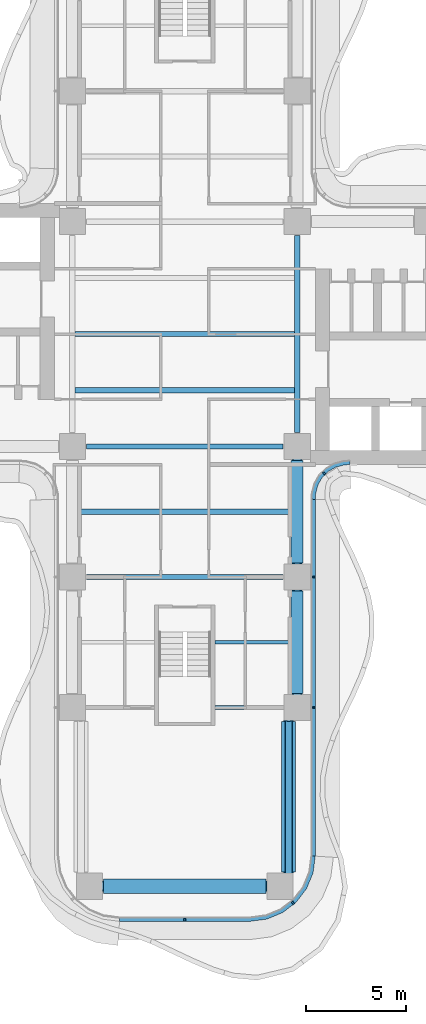
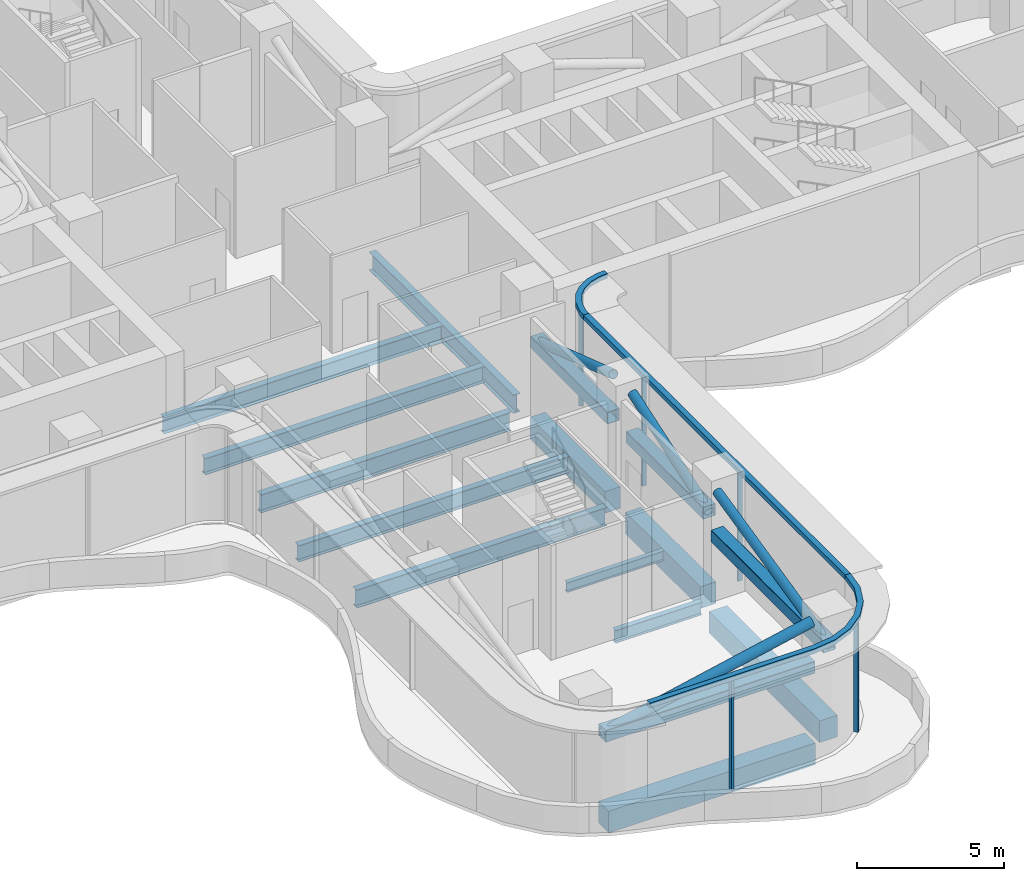
# One storey, part 4 of 20: 16 beams, 12 members, 3 elements without a shape of their own.
"""IFC4 building model written with IfcOpenShell, lengths in metres."""

from ifc_helpers import new_model, si_unit, direction, frame, origin, origin_2d, place, context, subcontext, project, spatial, polyline, rectangle, hollow_rectangle, hollow_circle, i_section, outline, extrude, source, transform, mapped, material, layer, layer_set, material_profile, profile_set, type_object, element, aggregate, save


model = new_model("IFC4")

# Units and contexts
model_context = context("Model", 3, precision=1e-05, world=origin(), true_north=direction((0.0, 1.0)))
body_context = subcontext(model_context, "Body", "Model", "MODEL_VIEW")
ifc_project = project(units=[si_unit("LENGTHUNIT", "METRE"), si_unit("AREAUNIT", "SQUARE_METRE"), si_unit("VOLUMEUNIT", "CUBIC_METRE"), si_unit("PLANEANGLEUNIT", "RADIAN"), si_unit("MASSUNIT", "GRAM", prefix="KILO")], contexts=[model_context])

# Site, building, storey
site_placement = place(None, origin())
site = spatial("IfcSite", under=ifc_project, at=site_placement, CompositionType="ELEMENT")
building_placement = place(site_placement, origin())
building = spatial("IfcBuilding", under=site, at=building_placement, Name="Trellis Farm Tower", CompositionType="ELEMENT")
storey_placement = place(building_placement, frame((0.0, 0.0, 92.5)))
storey = spatial("IfcBuildingStorey", under=building, at=storey_placement, Name="L19", CompositionType="ELEMENT", Elevation=92.5)

# Curtain wall, member
ifc_material_1 = material(Name="Aluminium and glass curtain wall", Category="aluminium")
ifc_layer_1 = layer(ifc_material_1, 0.196044921875)
ifc_layer_set_1 = layer_set([ifc_layer_1], Name="LOUVRED GLASS CURTAIN WALL CW6")
curtain_wall_type = type_object("IfcCurtainWallType", Name="LOUVRED GLASS CURTAIN WALL CW6", PredefinedType="NOTDEFINED", material=ifc_layer_set_1)
placement_1 = place(storey_placement, origin())
curtain_wall_1 = element("IfcCurtainWall", 1, at=placement_1, inside=storey, type_object=curtain_wall_type, Name="CW6 004", PredefinedType="NOTDEFINED")
ifc_material_2 = material(Name="Aluminium extrusion 6063-T6", Category="aluminium")
ifc_layer_2 = layer(ifc_material_2, 0.2099609375)
ifc_layer_set_2 = layer_set([ifc_layer_2], Name="Aluminium extrusion 6063-T6")
member_type_1 = type_object("IfcMemberType", Name="CW6 TRANSOM 210x200", PredefinedType="USERDEFINED", material=ifc_layer_set_2)
placement_2 = place(storey_placement, frame((0.0, 0.0, 4.550048828125)))
member_1 = element("IfcMember", 2, at=placement_2, type_object=member_type_1, Name="TR6 004", ObjectType="TRANSOM", PredefinedType="USERDEFINED", context=body_context, shape_type="SweptSolid", body=[
    extrude(outline(polyline([(-3.25, -29.25), (3.25, -29.25), (4.091064453125, -29.13916015625), (4.875, -28.814697265625), (5.548095703125, -28.298095703125), (6.064697265625, -27.625), (6.38916015625, -26.841064453125), (6.5, -26.0), (6.2900390625, -25.986328125), (6.1845703125, -26.786376953125), (5.881103515625, -27.51904296875), (5.3984375, -28.1484375), (4.76904296875, -28.631103515625), (4.036376953125, -28.9345703125), (3.236328125, -29.0400390625), (-3.236328125, -29.0400390625), (-3.25, -29.25)])), origin(), (0.0, 0.0, 1.0), 0.199951171875),
])

curtain_wall_2 = element("IfcCurtainWall", 3, at=placement_1, inside=storey, type_object=curtain_wall_type, Name="CW6 005", PredefinedType="NOTDEFINED")
member_2 = element("IfcMember", 4, at=placement_2, type_object=member_type_1, Name="TR6 005", ObjectType="TRANSOM", PredefinedType="USERDEFINED", context=body_context, shape_type="SweptSolid", body=[
    extrude(outline(polyline([(6.5, -26.0), (6.5, -8.2314453125), (6.2900390625, -8.224609375), (6.2900390625, -25.986328125), (6.5, -26.0)])), origin(), (0.0, 0.0, 1.0), 0.199951171875),
])

# Beams
ifc_material_3 = material(Name="Steel S355", Category="steel")
ifc_material_profile_1 = material_profile(ifc_material_3, i_section(OverallWidth=0.253662109375, OverallDepth=0.68359375, WebThickness=0.012451171875, FlangeThickness=0.021728515625, FilletRadius=0.01513671875, at=origin_2d()), Name="UB 686x254x140")
ifc_profile_set_1 = profile_set([ifc_material_profile_1], Name="Steel S355")
beam_type_1 = type_object("IfcBeamType", Name="UB 686x254x140 joist", PredefinedType="JOIST", material=ifc_profile_set_1)
shared_shape_1 = source(origin(), body_context, "Body", "SweptSolid", [
    extrude(i_section(OverallWidth=0.253662109375, OverallDepth=0.68359375, WebThickness=0.012451171875, FlangeThickness=0.021728515625, FilletRadius=0.01513671875, at=origin_2d()), origin(), (0.0, 0.0, 1.0), 10.93310546875),
])
for number, where, z_axis, x_axis, name in (
    (5, (-5.466552734375, -2.800048828125, -0.641845703125), (1.0, 0.0, 0.0), (0.0, 1.0, 0.0), "Floor beam"),
    (6, (-5.466552734375, 0.0, -0.641845703125), (1.0, 0.0, 0.0), (0.0, 1.0, 0.0), "Floor beam"),
):
    element("IfcBeam", number, at=place(storey_placement, frame(where, z_axis=z_axis, x_axis=x_axis)), inside=storey, type_object=beam_type_1, Name=name, PredefinedType="JOIST", context=body_context, shape_type="MappedRepresentation", body=[
        mapped(shared_shape_1, transform((0.0, 0.0, 0.0))),
    ])
ifc_material_profile_2 = material_profile(ifc_material_3, i_section(OverallWidth=0.209228515625, OverallDepth=0.533203125, WebThickness=0.010009765625, FlangeThickness=0.015625, FilletRadius=0.0126953125, at=origin_2d()), Name="UB 533x210x92")
ifc_profile_set_2 = profile_set([ifc_material_profile_2], Name="Steel S355")
beam_type_2 = type_object("IfcBeamType", Name="UB 533x210x92", PredefinedType="BEAM", material=ifc_profile_set_2)
shared_shape_2 = source(origin(), body_context, "Body", "SweptSolid", [
    extrude(i_section(OverallWidth=0.209228515625, OverallDepth=0.533203125, WebThickness=0.010009765625, FlangeThickness=0.015625, FilletRadius=0.0126953125, at=origin_2d()), origin(), (0.0, 0.0, 1.0), 3.39990234375),
])
beam_1_placement = place(storey_placement, frame((1.5, -18.60009765625, -0.56640625), z_axis=(1.0, 0.0, 0.0), x_axis=(0.0, 1.0, 0.0)))
element("IfcBeam", 7, at=beam_1_placement, inside=storey, type_object=beam_type_2, Name="Girder", PredefinedType="BEAM", context=body_context, shape_type="MappedRepresentation", body=[
    mapped(shared_shape_2, transform((0.0, 0.0, 0.0))),
])
ifc_material_4 = material(Name="Concrete C60/75", Category="concrete")
ifc_material_profile_3 = material_profile(ifc_material_4, rectangle(XDim=0.60009765625, YDim=0.89990234375, at=origin_2d()), Name="RC spandrel beam 600x900 C60/75")
ifc_profile_set_3 = profile_set([ifc_material_profile_3], Name="Concrete C60/75")
beam_type_3 = type_object("IfcBeamType", Name="RC spandrel beam 600x900 C60/75", PredefinedType="SPANDREL", material=ifc_profile_set_3)
shared_shape_3 = source(origin(), body_context, "Body", "SweptSolid", [
    extrude(rectangle(XDim=0.60009765625, YDim=0.89990234375, at=origin_2d()), origin(), (0.0, 0.0, 1.0), 5.099853515625),
])
for number, where, z_axis, x_axis, name in (
    (8, (5.60009765625, -17.89990234375, -0.75), (0.0, 1.0, 0.0), (-1.0, 0.0, 0.0), "Girder"),
    (9, (5.60009765625, -11.39990234375, -0.75), (0.0, 1.0, 0.0), (-1.0, 0.0, 0.0), "Girder"),
):
    element("IfcBeam", number, at=place(storey_placement, frame(where, z_axis=z_axis, x_axis=x_axis)), inside=storey, type_object=beam_type_3, Name=name, PredefinedType="SPANDREL", context=body_context, shape_type="MappedRepresentation", body=[
        mapped(shared_shape_3, transform((0.0, 0.0, 0.0))),
    ])
ifc_material_profile_4 = material_profile(ifc_material_3, i_section(OverallWidth=0.2666015625, OverallDepth=0.76220703125, WebThickness=0.014404296875, FlangeThickness=0.021484375, FilletRadius=0.0166015625, at=origin_2d()), Name="UB 762x267x173")
ifc_profile_set_4 = profile_set([ifc_material_profile_4], Name="Steel S355")
beam_type_4 = type_object("IfcBeamType", Name="UB 762x267x173", PredefinedType="BEAM", material=ifc_profile_set_4)
shared_shape_4 = source(origin(), body_context, "Body", "SweptSolid", [
    extrude(i_section(OverallWidth=0.2666015625, OverallDepth=0.76220703125, WebThickness=0.014404296875, FlangeThickness=0.021484375, FilletRadius=0.0166015625, at=origin_2d()), origin(), (0.0, 0.0, 1.0), 9.7998046875),
])
for number, where, z_axis, x_axis, name in (
    (10, (-4.89990234375, -12.10009765625, -0.68115234375), (1.0, 0.0, 0.0), (0.0, 1.0, 0.0), "Girder"),
    (11, (-4.89990234375, -5.60009765625, -0.68115234375), (1.0, 0.0, 0.0), (0.0, 1.0, 0.0), "Girder"),
    (12, (5.60009765625, -4.89990234375, -0.68115234375), (0.0, 1.0, 0.0), (-1.0, 0.0, 0.0), "Girder"),
):
    element("IfcBeam", number, at=place(storey_placement, frame(where, z_axis=z_axis, x_axis=x_axis)), inside=storey, type_object=beam_type_4, Name=name, PredefinedType="BEAM", context=body_context, shape_type="MappedRepresentation", body=[
        mapped(shared_shape_4, transform((0.0, 0.0, 0.0))),
    ])
ifc_material_profile_5 = material_profile(ifc_material_4, rectangle(XDim=0.699951171875, YDim=0.89990234375, at=origin_2d()), Name="RC spandrel beam 700x900 C60/75")
ifc_profile_set_5 = profile_set([ifc_material_profile_5], Name="Concrete C60/75")
beam_type_5 = type_object("IfcBeamType", Name="RC spandrel beam 700x900 C60/75", PredefinedType="SPANDREL", material=ifc_profile_set_5)
shared_shape_5 = source(origin(), body_context, "Body", "SweptSolid", [
    extrude(rectangle(XDim=0.699951171875, YDim=0.89990234375, at=origin_2d()), origin(), (0.0, 0.0, 1.0), 8.10009765625),
])
beam_2_placement = place(storey_placement, frame((-4.050048828125, -27.5, -0.75), z_axis=(1.0, 0.0, 0.0), x_axis=(0.0, 1.0, 0.0)))
element("IfcBeam", 13, at=beam_2_placement, inside=storey, type_object=beam_type_5, Name="Girder", PredefinedType="SPANDREL", context=body_context, shape_type="MappedRepresentation", body=[
    mapped(shared_shape_5, transform((0.0, 0.0, 0.0))),
])
shared_shape_6 = source(origin(), body_context, "Body", "SweptSolid", [
    extrude(rectangle(XDim=0.699951171875, YDim=0.89990234375, at=origin_2d()), origin(), (0.0, 0.0, 1.0), 7.5),
])
beam_3_placement = place(storey_placement, frame((5.175048828125, -26.800048828125, -0.75), z_axis=(0.0, 1.0, 0.0), x_axis=(-1.0, 0.0, 0.0)))
element("IfcBeam", 14, at=beam_3_placement, inside=storey, type_object=beam_type_5, Name="Girder", PredefinedType="SPANDREL", context=body_context, shape_type="MappedRepresentation", body=[
    mapped(shared_shape_6, transform((0.0, 0.0, 0.0))),
])
ifc_material_profile_6 = material_profile(ifc_material_3, i_section(OverallWidth=0.177978515625, OverallDepth=0.406494140625, WebThickness=0.0078125, FlangeThickness=0.0126953125, FilletRadius=0.01025390625, at=origin_2d()), Name="UB 406x178x60")
ifc_profile_set_6 = profile_set([ifc_material_profile_6], Name="Steel S355")
beam_type_6 = type_object("IfcBeamType", Name="UB 406x178x60 joist", PredefinedType="JOIST", material=ifc_profile_set_6)
shared_shape_7 = source(origin(), body_context, "Body", "SweptSolid", [
    extrude(i_section(OverallWidth=0.177978515625, OverallDepth=0.406494140625, WebThickness=0.0078125, FlangeThickness=0.0126953125, FilletRadius=0.01025390625, at=origin_2d()), origin(), (0.0, 0.0, 1.0), 3.800048828125),
])
beam_4_placement = place(storey_placement, frame((1.5, -15.35009765625, -0.503173828125), z_axis=(1.0, 0.0, 0.0), x_axis=(0.0, 1.0, 0.0)))
element("IfcBeam", 15, at=beam_4_placement, inside=storey, type_object=beam_type_6, Name="Floor beam", PredefinedType="JOIST", context=body_context, shape_type="MappedRepresentation", body=[
    mapped(shared_shape_7, transform((0.0, 0.0, 0.0))),
])
shared_shape_8 = source(origin(), body_context, "Body", "SweptSolid", [
    extrude(i_section(OverallWidth=0.253662109375, OverallDepth=0.68359375, WebThickness=0.012451171875, FlangeThickness=0.021728515625, FilletRadius=0.01513671875, at=origin_2d()), origin(), (0.0, 0.0, 1.0), 10.60009765625),
])
beam_5_placement = place(storey_placement, frame((-5.300048828125, -8.85009765625, -0.641845703125), z_axis=(1.0, 0.0, 0.0), x_axis=(0.0, 1.0, 0.0)))
element("IfcBeam", 16, at=beam_5_placement, inside=storey, type_object=beam_type_1, Name="Floor beam", PredefinedType="JOIST", context=body_context, shape_type="MappedRepresentation", body=[
    mapped(shared_shape_8, transform((0.0, 0.0, 0.0))),
])
ifc_material_profile_7 = material_profile(ifc_material_3, hollow_rectangle(XDim=0.5, YDim=0.5, WallThickness=0.02001953125, InnerFilletRadius=0.02001953125, OuterFilletRadius=0.030029296875, at=origin_2d()), Name="SHS 500x500x20")
ifc_profile_set_7 = profile_set([ifc_material_profile_7], Name="Steel S355")
beam_type_7 = type_object("IfcBeamType", Name="SHS 500x500x20", PredefinedType="BEAM", material=ifc_profile_set_7)
shared_shape_9 = source(origin(), body_context, "Body", "SweptSolid", [
    extrude(hollow_rectangle(XDim=0.5, YDim=0.5, WallThickness=0.02001953125, InnerFilletRadius=0.02001953125, OuterFilletRadius=0.030029296875, at=origin_2d()), origin(), (0.0, 0.0, 1.0), 5.199951171875),
])
for number, where, z_axis, x_axis, name in (
    (17, (5.60009765625, -17.949951171875, 2.75), (0.0, 1.0, 0.0), (-1.0, 0.0, 0.0), "Outrigger truss chord SHS 500x500x20"),
    (18, (5.60009765625, -11.449951171875, 2.75), (0.0, 1.0, 0.0), (-1.0, 0.0, 0.0), "Outrigger truss chord SHS 500x500x20"),
):
    element("IfcBeam", number, at=place(storey_placement, frame(where, z_axis=z_axis, x_axis=x_axis)), inside=storey, type_object=beam_type_7, Name=name, PredefinedType="BEAM", context=body_context, shape_type="MappedRepresentation", body=[
        mapped(shared_shape_9, transform((0.0, 0.0, 0.0))),
    ])
shared_shape_10 = source(origin(), body_context, "Body", "SweptSolid", [
    extrude(hollow_rectangle(XDim=0.5, YDim=0.5, WallThickness=0.02001953125, InnerFilletRadius=0.02001953125, OuterFilletRadius=0.030029296875, at=origin_2d()), origin(), (0.0, 0.0, 1.0), 8.2001953125),
])
beam_6_placement = place(storey_placement, frame((-4.10009765625, -27.5, 2.75), z_axis=(1.0, 0.0, 0.0), x_axis=(0.0, 1.0, 0.0)))
element("IfcBeam", 19, at=beam_6_placement, inside=storey, type_object=beam_type_7, Name="Belt truss chord SHS 500x500x20", PredefinedType="BEAM", context=body_context, shape_type="MappedRepresentation", body=[
    mapped(shared_shape_10, transform((0.0, 0.0, 0.0))),
])
shared_shape_11 = source(origin(), body_context, "Body", "SweptSolid", [
    extrude(hollow_rectangle(XDim=0.5, YDim=0.5, WallThickness=0.02001953125, InnerFilletRadius=0.02001953125, OuterFilletRadius=0.030029296875, at=origin_2d()), origin(), (0.0, 0.0, 1.0), 7.60009765625),
])
beam_7_placement = place(storey_placement, frame((5.175048828125, -26.85009765625, 2.75), z_axis=(0.0, 1.0, 0.0), x_axis=(-1.0, 0.0, 0.0)))
element("IfcBeam", 20, at=beam_7_placement, inside=storey, type_object=beam_type_7, Name="Outrigger truss chord SHS 500x500x20", PredefinedType="BEAM", context=body_context, shape_type="MappedRepresentation", body=[
    mapped(shared_shape_11, transform((0.0, 0.0, 0.0))),
])

# Members
ifc_material_profile_8 = material_profile(ifc_material_3, hollow_circle(Radius=0.177734375, WallThickness=0.01611328125, at=origin_2d()), Name="CHS 355.6x16")
ifc_profile_set_8 = profile_set([ifc_material_profile_8], Name="Steel S355")
member_type_2 = type_object("IfcMemberType", Name="CHS 355.6x16 brace", PredefinedType="BRACE", material=ifc_profile_set_8)
shared_shape_12 = source(origin(), body_context, "Body", "SweptSolid", [
    extrude(hollow_circle(Radius=0.177734375, WallThickness=0.01611328125, at=origin_2d()), origin(), (0.0, 0.0, 1.0), 5.486572265625),
])
for number, where, z_axis, x_axis, name in (
    (21, (5.60009765625, -17.949951171875, 2.75), (0.0, 0.947767137813, 0.318963089528), (-1.0, 0.0, 0.0), "Outrigger truss diagonal CHS 355.6x16"),
    (22, (5.60009765625, -6.25, 2.75), (0.0, -0.947767137813, 0.318963089528), (1.0, 0.0, 0.0), "Outrigger truss diagonal CHS 355.6x16"),
):
    element("IfcMember", number, at=place(storey_placement, frame(where, z_axis=z_axis, x_axis=x_axis)), inside=storey, type_object=member_type_2, Name=name, PredefinedType="BRACE", context=body_context, shape_type="MappedRepresentation", body=[
        mapped(shared_shape_12, transform((0.0, 0.0, 0.0))),
    ])
ifc_material_profile_9 = material_profile(ifc_material_3, hollow_circle(Radius=0.203125, WallThickness=0.01611328125, at=origin_2d()), Name="CHS 406.4x16")
ifc_profile_set_9 = profile_set([ifc_material_profile_9], Name="Steel S355")
member_type_3 = type_object("IfcMemberType", Name="CHS 406.4x16 brace", PredefinedType="BRACE", material=ifc_profile_set_9)
shared_shape_13 = source(origin(), body_context, "Body", "SweptSolid", [
    extrude(hollow_circle(Radius=0.203125, WallThickness=0.01611328125, at=origin_2d()), origin(), (0.0, 0.0, 1.0), 8.384765625),
])
member_3_placement = place(storey_placement, frame((-4.10009765625, -27.5, 2.75), z_axis=(0.97797762433, 0.0, 0.208709765726), x_axis=(0.0, 1.0, 0.0)))
element("IfcMember", 23, at=member_3_placement, inside=storey, type_object=member_type_3, Name="Belt truss diagonal CHS 406.4x16", PredefinedType="BRACE", context=body_context, shape_type="MappedRepresentation", body=[
    mapped(shared_shape_13, transform((0.0, 0.0, 0.0))),
])
shared_shape_14 = source(origin(), body_context, "Body", "SweptSolid", [
    extrude(hollow_circle(Radius=0.177734375, WallThickness=0.01611328125, at=origin_2d()), origin(), (0.0, 0.0, 1.0), 7.799072265625),
])
member_4_placement = place(storey_placement, frame((5.175048828125, -26.85009765625, 2.75), z_axis=(0.0, 0.974499767244, 0.224388510492), x_axis=(-1.0, 0.0, 0.0)))
element("IfcMember", 24, at=member_4_placement, inside=storey, type_object=member_type_2, Name="Outrigger truss diagonal CHS 355.6x16", PredefinedType="BRACE", context=body_context, shape_type="MappedRepresentation", body=[
    mapped(shared_shape_14, transform((0.0, 0.0, 0.0))),
])

# Member
ifc_material_profile_10 = material_profile(ifc_material_2, rectangle(XDim=0.090087890625, YDim=0.159912109375, at=origin_2d()), Name="MULLION 90x160")
ifc_profile_set_10 = profile_set([ifc_material_profile_10], Name="Aluminium extrusion 6063-T6")
member_type_4 = type_object("IfcMemberType", Name="CW6 MULLION 90x160", PredefinedType="MULLION", material=ifc_profile_set_10)
shared_shape_15 = source(origin(), body_context, "Body", "SweptSolid", [
    extrude(rectangle(XDim=0.090087890625, YDim=0.159912109375, at=origin_2d()), origin(), (0.0, 0.0, 1.0), 4.550048828125),
])
member_5_placement = place(storey_placement, frame((0.0, -29.169921875, 0.0), z_axis=(0.0, 0.0, 1.0), x_axis=(1.0, 0.0, 0.0)))
member_5 = element("IfcMember", 25, at=member_5_placement, type_object=member_type_4, Name="MU6 004-01", PredefinedType="MULLION", context=body_context, shape_type="MappedRepresentation", body=[
    mapped(shared_shape_15, transform((0.0, 0.0, 0.0))),
])

member_6_placement = place(storey_placement, frame((5.382568359375, -28.32421875, 0.0), z_axis=(0.0, 0.0, 1.0), x_axis=(0.793353340291, 0.608761429009, 0.0)))
member_6 = element("IfcMember", 26, at=member_6_placement, type_object=member_type_4, Name="MU6 004-02", PredefinedType="MULLION", context=body_context, shape_type="MappedRepresentation", body=[
    mapped(shared_shape_15, transform((0.0, 0.0, 0.0))),
])

aggregate(curtain_wall_1, [member_5, member_6, member_1])

member_7_placement = place(storey_placement, frame((6.419921875, -18.60009765625, 0.0), z_axis=(0.0, 0.0, 1.0), x_axis=(0.0, 1.0, 0.0)))
member_7 = element("IfcMember", 27, at=member_7_placement, type_object=member_type_4, Name="MU6 005-01", PredefinedType="MULLION", context=body_context, shape_type="MappedRepresentation", body=[
    mapped(shared_shape_15, transform((0.0, 0.0, 0.0))),
])

member_8_placement = place(storey_placement, frame((6.419921875, -12.10009765625, 0.0), z_axis=(0.0, 0.0, 1.0), x_axis=(0.0, 1.0, 0.0)))
member_8 = element("IfcMember", 28, at=member_8_placement, type_object=member_type_4, Name="MU6 005-02", PredefinedType="MULLION", context=body_context, shape_type="MappedRepresentation", body=[
    mapped(shared_shape_15, transform((0.0, 0.0, 0.0))),
])

aggregate(curtain_wall_2, [member_7, member_8, member_2])

# Curtain wall, members
curtain_wall_3 = element("IfcCurtainWall", 29, at=placement_1, inside=storey, type_object=curtain_wall_type, Name="CW6 006", PredefinedType="NOTDEFINED")
member_9_placement = place(storey_placement, frame((6.93896484375, -6.93896484375, 0.0), z_axis=(0.0, 0.0, 1.0), x_axis=(0.707106781187, 0.707106781187, 0.0)))
member_9 = element("IfcMember", 30, at=member_9_placement, type_object=member_type_4, Name="MU6 006-01", PredefinedType="MULLION", context=body_context, shape_type="MappedRepresentation", body=[
    mapped(shared_shape_15, transform((0.0, 0.0, 0.0))),
])
shared_shape_16 = source(origin(), body_context, "Body", "SweptSolid", [
    extrude(outline(polyline([(6.5, -8.2314453125), (6.513916015625, -8.01953125), (6.527587890625, -7.91552734375), (6.63671875, -7.508544921875), (6.846923828125, -7.144287109375), (7.144287109375, -6.846923828125), (7.508544921875, -6.63671875), (7.91552734375, -6.527587890625), (8.01953125, -6.513916015625), (8.2314453125, -6.5), (8.224609375, -6.2900390625), (7.9990234375, -6.3046875), (7.87451171875, -6.321044921875), (7.427490234375, -6.44091796875), (7.015380859375, -6.678955078125), (6.678955078125, -7.015380859375), (6.44091796875, -7.427490234375), (6.321044921875, -7.87451171875), (6.3046875, -7.9990234375), (6.2900390625, -8.224609375), (6.5, -8.2314453125)])), origin(), (0.0, 0.0, 1.0), 0.199951171875),
])
member_10 = element("IfcMember", 31, at=placement_2, type_object=member_type_1, Name="TR6 006", ObjectType="TRANSOM", PredefinedType="USERDEFINED", context=body_context, shape_type="MappedRepresentation", body=[
    mapped(shared_shape_16, transform((0.0, 0.0, 0.0))),
])
aggregate(curtain_wall_3, [member_9, member_10])

save(model, "model.ifc")
